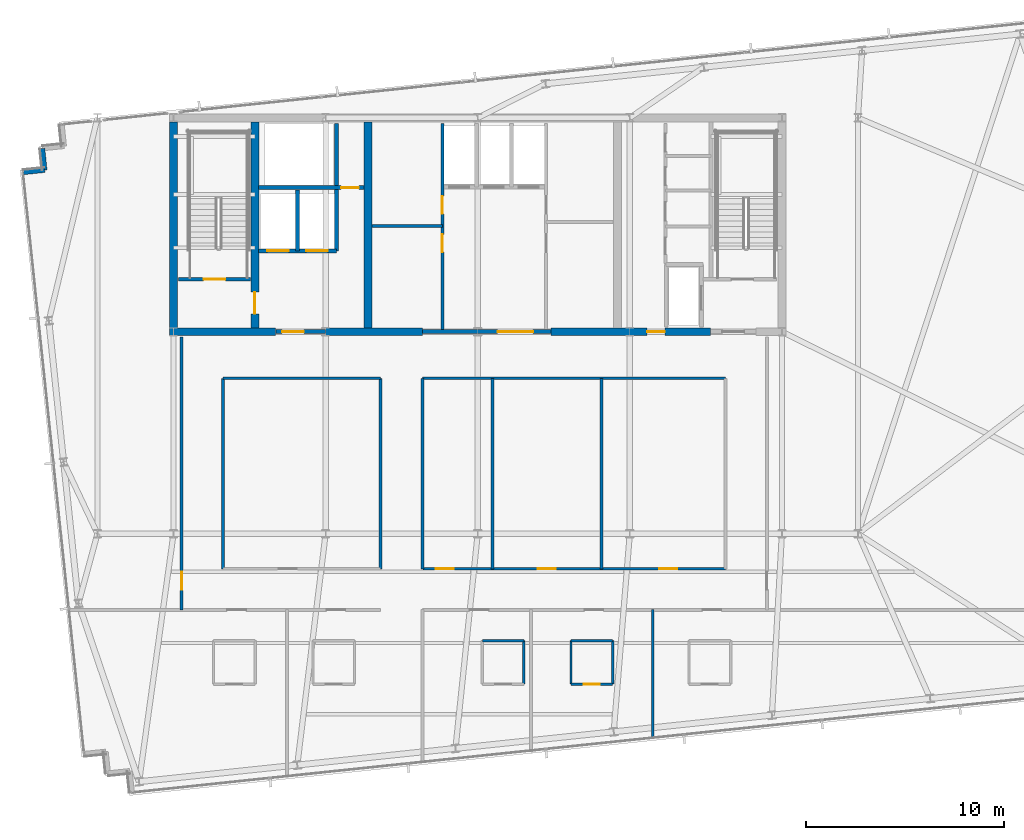
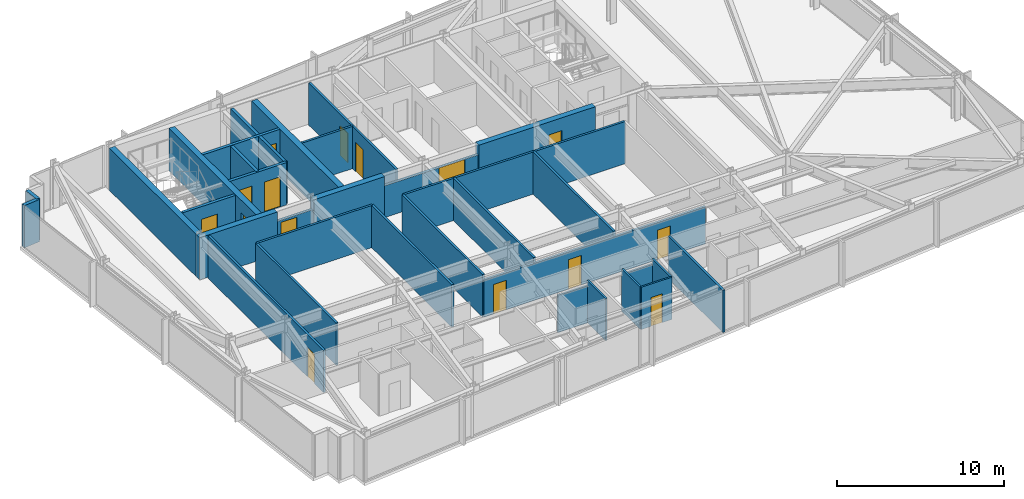
# One storey, part 27 of 33: 33 walls, 15 doors, 15 openings.
"""IFC4 building model written with IfcOpenShell, lengths in metres."""

from ifc_helpers import new_model, si_unit, direction, frame, frame_2d, origin, place, context, subcontext, project, spatial, rectangle, extrude, material, layer, layer_set, type_object, element, fill, save


model = new_model("IFC4")

# Units and contexts
model_context = context("Model", 3, precision=1e-05, world=origin(), true_north=direction((0.0, 1.0)))
body_context = subcontext(model_context, "Body", "Model", "MODEL_VIEW")
ifc_project = project(units=[si_unit("LENGTHUNIT", "METRE"), si_unit("AREAUNIT", "SQUARE_METRE"), si_unit("VOLUMEUNIT", "CUBIC_METRE"), si_unit("PLANEANGLEUNIT", "RADIAN"), si_unit("MASSUNIT", "GRAM", prefix="KILO")], contexts=[model_context])

# Site, building, storey
site_placement = place(None, origin())
site = spatial("IfcSite", under=ifc_project, at=site_placement, CompositionType="ELEMENT")
building_placement = place(site_placement, origin())
building = spatial("IfcBuilding", under=site, at=building_placement, Name="Yelkora Congress Tower", CompositionType="ELEMENT")
storey_placement = place(building_placement, frame((0.0, 0.0, 230.89990234375)))
storey = spatial("IfcBuildingStorey", under=building, at=storey_placement, Name="L64", CompositionType="ELEMENT", Elevation=230.89990234375)

# Walls
ifc_material_1 = material(Name="Concrete C50/60", Category="concrete")
ifc_layer_1 = layer(ifc_material_1, 0.39990234375)
ifc_layer_set_1 = layer_set([ifc_layer_1], Name="Concrete C50/60")
wall_type_1 = type_object("IfcWallType", Name="WALL-CORE-INT-400", PredefinedType="SHEAR", material=ifc_layer_set_1)
wall_1_placement = place(storey_placement, frame((22.840087890625, 35.39990234375, 0.0), z_axis=(0.0, 0.0, 1.0), x_axis=(1.0, 0.0, 0.0)))
element("IfcWall", 1, at=wall_1_placement, inside=storey, type_object=wall_type_1, Name="L64 Rear Core South-West Shear Wall", PredefinedType="SHEAR", context=body_context, shape_type="SweptSolid", body=[
    extrude(rectangle(XDim=5.35986328125, YDim=0.39990234375, at=frame_2d((2.679931640625, 0.0))), origin(), (0.0, 0.0, 1.0), 3.080078125),
])
wall_2_placement = place(storey_placement, frame((30.719970703125, 35.39990234375, 0.0), z_axis=(0.0, 0.0, 1.0), x_axis=(1.0, 0.0, 0.0)))
element("IfcWall", 2, at=wall_2_placement, inside=storey, type_object=wall_type_1, Name="L64 Rear Core South-Center Shear Pier", PredefinedType="SHEAR", context=body_context, shape_type="SweptSolid", body=[
    extrude(rectangle(XDim=4.880126953125, YDim=0.39990234375, at=frame_2d((2.43994140625, 0.0))), origin(), (0.0, 0.0, 1.0), 3.080078125),
])

# Wall, opening, door
wall_3_placement = place(storey_placement, frame((42.10009765625, 35.39990234375, 0.0), z_axis=(0.0, 0.0, 1.0), x_axis=(1.0, 0.0, 0.0)))
wall_3 = element("IfcWall", 3, at=wall_3_placement, inside=storey, type_object=wall_type_1, Name="L64 Rear Core South-East Shear Wall A", PredefinedType="SHEAR", context=body_context, shape_type="SweptSolid", body=[
    extrude(rectangle(XDim=8.0498046875, YDim=0.39990234375, at=frame_2d((4.02490234375, 0.0))), origin(), (0.0, 0.0, 1.0), 3.080078125),
])
opening_1_placement = place(wall_3_placement, frame((4.85009765625, 0.0, 0.0)))
opening_1 = element("IfcOpeningElement", 4, at=opening_1_placement, cuts=wall_3, Name="Opening DR-090F6", PredefinedType="OPENING", context=body_context, shape_type="SweptSolid", body=[
    extrude(rectangle(XDim=0.89990234375, YDim=2.14990234375, at=frame_2d((0.449951171875, 1.074951171875))), frame((0.0, 0.2099609375, 0.0), z_axis=(0.0, -1.0, 0.0), x_axis=(1.0, 0.0, 0.0)), (0.0, 0.0, 1.0), 0.419921875),
])
ifc_material_2 = material(Name="Painted steel riser fire door leaf", Category="steel")
door_type_1 = type_object("IfcDoorType", Name="DOOR-FD60-900", OperationType="NOTDEFINED", PredefinedType="DOOR", material=ifc_material_2)
door_1_placement = place(opening_1_placement, origin())
door_1 = element("IfcDoor", 5, at=door_1_placement, inside=storey, type_object=door_type_1, Name="L64 Core Washroom Lobby Door", OperationType="SINGLE_SWING_RIGHT", OverallHeight=2.14990234375, OverallWidth=0.89990234375, PredefinedType="DOOR", context=body_context, shape_type="SweptSolid", body=[
    extrude(rectangle(XDim=0.89990234375, YDim=2.14990234375, at=frame_2d((0.449951171875, 1.074951171875))), frame((0.0, 0.02490234375, 0.0), z_axis=(0.0, -1.0, 0.0), x_axis=(1.0, 0.0, 0.0)), (0.0, 0.0, 1.0), 0.050048828125),
])
fill(opening_1, door_1)

# Wall
wall_4_placement = place(storey_placement, frame((23.0400390625, 35.60009765625, 0.0), z_axis=(0.0, 0.0, 1.0), x_axis=(0.0, 1.0, 0.0)))
element("IfcWall", 6, at=wall_4_placement, inside=storey, type_object=wall_type_1, Name="L64 Rear Core Cross Shear Wall W", PredefinedType="SHEAR", context=body_context, shape_type="SweptSolid", body=[
    extrude(rectangle(XDim=10.39990234375, YDim=0.39990234375, at=frame_2d((5.199951171875, 0.0))), origin(), (0.0, 0.0, 1.0), 3.080078125),
])

# Wall, opening, door
wall_5_placement = place(storey_placement, frame((27.14990234375, 35.60009765625, 0.0), z_axis=(0.0, 0.0, 1.0), x_axis=(0.0, 1.0, 0.0)))
wall_5 = element("IfcWall", 7, at=wall_5_placement, inside=storey, type_object=wall_type_1, Name="L64 Rear Core Cross Shear Wall C1", PredefinedType="SHEAR", context=body_context, shape_type="SweptSolid", body=[
    extrude(rectangle(XDim=10.39990234375, YDim=0.39990234375, at=frame_2d((5.199951171875, 0.0))), origin(), (0.0, 0.0, 1.0), 3.080078125),
])
opening_2_placement = place(wall_5_placement, frame((0.699951171875, 0.0, 0.0)))
opening_2 = element("IfcOpeningElement", 8, at=opening_2_placement, cuts=wall_5, Name="Opening DR-110F9", PredefinedType="OPENING", context=body_context, shape_type="SweptSolid", body=[
    extrude(rectangle(XDim=1.10009765625, YDim=2.14990234375, at=frame_2d((0.550048828125, 1.074951171875))), frame((0.0, 0.2099609375, 0.0), z_axis=(0.0, -1.0, 0.0), x_axis=(1.0, 0.0, 0.0)), (0.0, 0.0, 1.0), 0.419921875),
])
ifc_material_3 = material(Name="Galvanised steel fire door leaf", Category="steel")
door_type_2 = type_object("IfcDoorType", Name="DOOR-FD90-1100", OperationType="NOTDEFINED", PredefinedType="DOOR", material=ifc_material_3)
door_2_placement = place(opening_2_placement, origin())
door_2 = element("IfcDoor", 9, at=door_2_placement, inside=storey, type_object=door_type_2, Name="L64 Firefighting Stair Transfer Door", OperationType="SINGLE_SWING_LEFT", OverallHeight=2.14990234375, OverallWidth=1.10009765625, PredefinedType="DOOR", context=body_context, shape_type="SweptSolid", body=[
    extrude(rectangle(XDim=1.10009765625, YDim=2.14990234375, at=frame_2d((0.550048828125, 1.074951171875))), frame((0.0, 0.02490234375, 0.0), z_axis=(0.0, -1.0, 0.0), x_axis=(1.0, 0.0, 0.0)), (0.0, 0.0, 1.0), 0.050048828125),
])
fill(opening_2, door_2)

# Walls
wall_6_placement = place(storey_placement, frame((32.85009765625, 35.60009765625, 0.0), z_axis=(0.0, 0.0, 1.0), x_axis=(0.0, 1.0, 0.0)))
element("IfcWall", 10, at=wall_6_placement, inside=storey, type_object=wall_type_1, Name="L64 Rear Core Cross Shear Wall C2", PredefinedType="SHEAR", context=body_context, shape_type="SweptSolid", body=[
    extrude(rectangle(XDim=10.39990234375, YDim=0.39990234375, at=frame_2d((5.199951171875, 0.0))), origin(), (0.0, 0.0, 1.0), 3.080078125),
])
ifc_material_4 = material(Name="Concrete C40/50", Category="concrete")
ifc_layer_2 = layer(ifc_material_4, 0.239990234375)
ifc_layer_set_2 = layer_set([ifc_layer_2], Name="Concrete C40/50")
wall_type_2 = type_object("IfcWallType", Name="WALL-EXT-LIMESTONE-240", PredefinedType="SOLIDWALL", material=ifc_layer_set_2)
wall_7_placement = place(storey_placement, frame((15.441162109375, 43.444580078125, 0.0), z_axis=(0.0, 0.0, 1.0), x_axis=(0.994495717747, 0.104777227405, 0.0)))
element("IfcWall", 11, at=wall_7_placement, inside=storey, type_object=wall_type_2, Name="L64 Serrated Corner Limestone Pier 6", PredefinedType="SOLIDWALL", context=body_context, shape_type="SweptSolid", body=[
    extrude(rectangle(XDim=1.099853515625, YDim=0.239990234375, at=frame_2d((0.5498046875, 0.0))), origin(), (0.0, 0.0, 1.0), 3.080078125),
])
wall_8_placement = place(storey_placement, frame((16.534912109375, 43.559814453125, 0.0), z_axis=(0.0, 0.0, 1.0), x_axis=(-0.104315068386, 0.994544300928, 0.0)))
element("IfcWall", 12, at=wall_8_placement, inside=storey, type_object=wall_type_2, Name="L64 Serrated Corner Limestone Pier 7", PredefinedType="SOLIDWALL", context=body_context, shape_type="SweptSolid", body=[
    extrude(rectangle(XDim=1.10009765625, YDim=0.239990234375, at=frame_2d((0.550048828125, 0.0))), origin(), (0.0, 0.0, 1.0), 3.080078125),
])
ifc_material_5 = material(Name="Moisture-resistant gypsum partition", Category="gypsum")
ifc_layer_3 = layer(ifc_material_5, 0.1201171875)
ifc_layer_set_3 = layer_set([ifc_layer_3], Name="Moisture-resistant gypsum partition")
wall_type_3 = type_object("IfcWallType", Name="WALL-INT-120-NR", PredefinedType="PARTITIONING", material=ifc_layer_set_3)
wall_9_placement = place(storey_placement, frame((38.632080078125, 19.800048828125, 0.0), z_axis=(0.0, 0.0, 1.0), x_axis=(1.0, 0.0, 0.0)))
element("IfcWall", 13, at=wall_9_placement, inside=storey, type_object=wall_type_3, Name="L64 Partition Wall 33", PredefinedType="PARTITIONING", context=body_context, shape_type="SweptSolid", body=[
    extrude(rectangle(XDim=2.099853515625, YDim=0.1201171875, at=frame_2d((1.0498046875, 0.0))), origin(), (0.0, 0.0, 1.0), 2.715087890625),
])
wall_10_placement = place(storey_placement, frame((40.73193359375, 17.60009765625, 0.0), z_axis=(0.0, 0.0, 1.0), x_axis=(0.0, 1.0, 0.0)))
element("IfcWall", 14, at=wall_10_placement, inside=storey, type_object=wall_type_3, Name="L64 Partition Wall 35", PredefinedType="PARTITIONING", context=body_context, shape_type="SweptSolid", body=[
    extrude(rectangle(XDim=2.199951171875, YDim=0.1201171875, at=frame_2d((1.10009765625, 0.0))), origin(), (0.0, 0.0, 1.0), 3.080078125),
])
wall_11_placement = place(storey_placement, frame((43.110107421875, 19.800048828125, 0.0), z_axis=(0.0, 0.0, 1.0), x_axis=(1.0, 0.0, 0.0)))
element("IfcWall", 15, at=wall_11_placement, inside=storey, type_object=wall_type_3, Name="L64 Partition Wall 38", PredefinedType="PARTITIONING", context=body_context, shape_type="SweptSolid", body=[
    extrude(rectangle(XDim=2.099853515625, YDim=0.1201171875, at=frame_2d((1.0498046875, 0.0))), origin(), (0.0, 0.0, 1.0), 2.715087890625),
])
for number, where, z_axis, x_axis, name in (
    (16, (43.110107421875, 17.60009765625, 0.0), (0.0, 0.0, 1.0), (0.0, 1.0, 0.0), "L64 Partition Wall 39"),
    (17, (45.2099609375, 17.60009765625, 0.0), (0.0, 0.0, 1.0), (0.0, 1.0, 0.0), "L64 Partition Wall 40"),
):
    element("IfcWall", number, at=place(storey_placement, frame(where, z_axis=z_axis, x_axis=x_axis)), inside=storey, type_object=wall_type_3, Name=name, PredefinedType="PARTITIONING", context=body_context, shape_type="SweptSolid", body=[
        extrude(rectangle(XDim=2.199951171875, YDim=0.1201171875, at=frame_2d((1.10009765625, 0.0))), origin(), (0.0, 0.0, 1.0), 3.080078125),
    ])

# Wall, opening, door
wall_12_placement = place(storey_placement, frame((43.110107421875, 17.60009765625, 0.0), z_axis=(0.0, 0.0, 1.0), x_axis=(1.0, 0.0, 0.0)))
wall_12 = element("IfcWall", 18, at=wall_12_placement, inside=storey, type_object=wall_type_3, Name="L64 Partition Wall 41", PredefinedType="PARTITIONING", context=body_context, shape_type="SweptSolid", body=[
    extrude(rectangle(XDim=2.099853515625, YDim=0.1201171875, at=frame_2d((1.0498046875, 0.0))), origin(), (0.0, 0.0, 1.0), 3.080078125),
])
opening_3_placement = place(wall_12_placement, frame((0.64990234375, 0.0, 0.0)))
opening_3 = element("IfcOpeningElement", 19, at=opening_3_placement, cuts=wall_12, Name="Opening DR-080B", PredefinedType="OPENING", context=body_context, shape_type="SweptSolid", body=[
    extrude(rectangle(XDim=0.800048828125, YDim=2.10009765625, at=frame_2d((0.39990234375, 1.050048828125))), frame((0.0, 0.070068359375, 0.0), z_axis=(0.0, -1.0, 0.0), x_axis=(1.0, 0.0, 0.0)), (0.0, 0.0, 1.0), 0.14013671875),
])
ifc_material_6 = material(Name="Moisture-sealed en-suite timber door", Category="wood")
door_type_3 = type_object("IfcDoorType", Name="DOOR-BATH-800", OperationType="NOTDEFINED", PredefinedType="DOOR", material=ifc_material_6)
door_3_placement = place(opening_3_placement, origin())
door_3 = element("IfcDoor", 20, at=door_3_placement, inside=storey, type_object=door_type_3, Name="L64 En-suite Door 5", OperationType="SINGLE_SWING_RIGHT", OverallHeight=2.10009765625, OverallWidth=0.800048828125, PredefinedType="DOOR", context=body_context, shape_type="SweptSolid", body=[
    extrude(rectangle(XDim=0.800048828125, YDim=2.10009765625, at=frame_2d((0.39990234375, 1.050048828125))), frame((0.0, 0.02490234375, 0.0), z_axis=(0.0, -1.0, 0.0), x_axis=(1.0, 0.0, 0.0)), (0.0, 0.0, 1.0), 0.050048828125),
])
fill(opening_3, door_3)

ifc_material_7 = material(Name="Acoustic metal-stud gypsum partition", Category="gypsum")
ifc_layer_4 = layer(ifc_material_7, 0.14990234375)
ifc_layer_set_4 = layer_set([ifc_layer_4], Name="Acoustic metal-stud gypsum partition")
wall_type_4 = type_object("IfcWallType", Name="WALL-INT-150-NR", PredefinedType="PARTITIONING", material=ifc_layer_set_4)
wall_13_placement = place(storey_placement, frame((23.449951171875, 21.35009765625, 0.0), z_axis=(0.0, 0.0, 1.0), x_axis=(0.0, 1.0, 0.0)))
wall_13 = element("IfcWall", 21, at=wall_13_placement, inside=storey, type_object=wall_type_4, Name="L64 Partition Wall 50", PredefinedType="PARTITIONING", context=body_context, shape_type="SweptSolid", body=[
    extrude(rectangle(XDim=13.789794921875, YDim=0.14990234375, at=frame_2d((6.89501953125, 0.0))), origin(), (0.0, 0.0, 1.0), 3.080078125),
])
opening_4_placement = place(wall_13_placement, frame((1.030029296875, 0.0, 0.0)))
opening_4 = element("IfcOpeningElement", 22, at=opening_4_placement, cuts=wall_13, Name="Opening DR-090N", PredefinedType="OPENING", context=body_context, shape_type="SweptSolid", body=[
    extrude(rectangle(XDim=0.89990234375, YDim=2.14990234375, at=frame_2d((0.449951171875, 1.074951171875))), frame((0.0, 0.0849609375, 0.0), z_axis=(0.0, -1.0, 0.0), x_axis=(1.0, 0.0, 0.0)), (0.0, 0.0, 1.0), 0.169921875),
])
ifc_material_8 = material(Name="Moisture-resistant laminate door leaf", Category="wood")
door_type_4 = type_object("IfcDoorType", Name="DOOR-INT-900", OperationType="NOTDEFINED", PredefinedType="DOOR", material=ifc_material_8)
door_4_placement = place(opening_4_placement, origin())
door_4 = element("IfcDoor", 23, at=door_4_placement, inside=storey, type_object=door_type_4, Name="L64 W Wing Door", OperationType="SINGLE_SWING_LEFT", OverallHeight=2.14990234375, OverallWidth=0.89990234375, PredefinedType="DOOR", context=body_context, shape_type="SweptSolid", body=[
    extrude(rectangle(XDim=0.89990234375, YDim=2.14990234375, at=frame_2d((0.449951171875, 1.074951171875))), frame((0.0, 0.02490234375, 0.0), z_axis=(0.0, -1.0, 0.0), x_axis=(1.0, 0.0, 0.0)), (0.0, 0.0, 1.0), 0.050048828125),
])
fill(opening_4, door_4)

# Walls
for number, where, z_axis, x_axis, name in (
    (24, (25.530029296875, 23.429931640625, 0.0), (0.0, 0.0, 1.0), (0.0, 1.0, 0.0), "L64 Partition Wall 52"),
    (25, (33.5, 23.429931640625, 0.0), (0.0, 0.0, 1.0), (0.0, 1.0, 0.0), "L64 Partition Wall 54"),
    (26, (35.6201171875, 23.429931640625, 0.0), (0.0, 0.0, 1.0), (0.0, 1.0, 0.0), "L64 Partition Wall 55"),
):
    element("IfcWall", number, at=place(storey_placement, frame(where, z_axis=z_axis, x_axis=x_axis)), inside=storey, type_object=wall_type_4, Name=name, PredefinedType="PARTITIONING", context=body_context, shape_type="SweptSolid", body=[
        extrude(rectangle(XDim=9.6201171875, YDim=0.14990234375, at=frame_2d((4.81005859375, 0.0))), origin(), (0.0, 0.0, 1.0), 3.080078125),
    ])
wall_14_placement = place(storey_placement, frame((25.530029296875, 33.050048828125, 0.0), z_axis=(0.0, 0.0, 1.0), x_axis=(1.0, 0.0, 0.0)))
element("IfcWall", 27, at=wall_14_placement, inside=storey, type_object=wall_type_4, Name="L64 Partition Wall 56", PredefinedType="PARTITIONING", context=body_context, shape_type="SweptSolid", body=[
    extrude(rectangle(XDim=7.969970703125, YDim=0.14990234375, at=frame_2d((3.98486328125, 0.0))), origin(), (0.0, 0.0, 1.0), 3.080078125),
])
wall_15_placement = place(storey_placement, frame((35.6201171875, 33.050048828125, 0.0), z_axis=(0.0, 0.0, 1.0), x_axis=(1.0, 0.0, 0.0)))
element("IfcWall", 28, at=wall_15_placement, inside=storey, type_object=wall_type_4, Name="L64 Partition Wall 57", PredefinedType="PARTITIONING", context=body_context, shape_type="SweptSolid", body=[
    extrude(rectangle(XDim=15.2998046875, YDim=0.14990234375, at=frame_2d((7.64990234375, 0.0))), origin(), (0.0, 0.0, 1.0), 3.080078125),
])
for number, where, z_axis, x_axis, name in (
    (29, (39.14208984375, 23.429931640625, 0.0), (0.0, 0.0, 1.0), (0.0, 1.0, 0.0), "L64 Partition Wall 59"),
    (30, (44.638916015625, 23.429931640625, 0.0), (0.0, 0.0, 1.0), (0.0, 1.0, 0.0), "L64 Partition Wall 60"),
):
    element("IfcWall", number, at=place(storey_placement, frame(where, z_axis=z_axis, x_axis=x_axis)), inside=storey, type_object=wall_type_4, Name=name, PredefinedType="PARTITIONING", context=body_context, shape_type="SweptSolid", body=[
        extrude(rectangle(XDim=9.6201171875, YDim=0.14990234375, at=frame_2d((4.81005859375, 0.0))), origin(), (0.0, 0.0, 1.0), 3.080078125),
    ])

# Wall, openings, doors
wall_16_placement = place(storey_placement, frame((35.6298828125, 23.429931640625, 0.0), z_axis=(0.0, 0.0, 1.0), x_axis=(1.0, 0.0, 0.0)))
wall_16 = element("IfcWall", 31, at=wall_16_placement, inside=storey, type_object=wall_type_4, Name="L64 Partition Wall 61", PredefinedType="PARTITIONING", context=body_context, shape_type="SweptSolid", body=[
    extrude(rectangle(XDim=15.27001953125, YDim=0.14990234375, at=frame_2d((7.635009765625, 0.0))), origin(), (0.0, 0.0, 1.0), 2.715087890625),
])
opening_5_placement = place(wall_16_placement, frame((0.64990234375, 0.0, 0.0)))
opening_5 = element("IfcOpeningElement", 32, at=opening_5_placement, cuts=wall_16, Name="Opening DR-090N", PredefinedType="OPENING", context=body_context, shape_type="SweptSolid", body=[
    extrude(rectangle(XDim=0.89990234375, YDim=2.14990234375, at=frame_2d((0.449951171875, 1.074951171875))), frame((0.0, 0.0849609375, 0.0), z_axis=(0.0, -1.0, 0.0), x_axis=(1.0, 0.0, 0.0)), (0.0, 0.0, 1.0), 0.169921875),
])
opening_6_placement = place(wall_16_placement, frame((5.810546875, 0.0, 0.0)))
opening_6 = element("IfcOpeningElement", 33, at=opening_6_placement, cuts=wall_16, Name="Opening DR-090N", PredefinedType="OPENING", context=body_context, shape_type="SweptSolid", body=[
    extrude(rectangle(XDim=0.89990234375, YDim=2.14990234375, at=frame_2d((0.449951171875, 1.074951171875))), frame((0.0, 0.0849609375, 0.0), z_axis=(0.0, -1.0, 0.0), x_axis=(1.0, 0.0, 0.0)), (0.0, 0.0, 1.0), 0.169921875),
])
opening_7_placement = place(wall_16_placement, frame((11.943359375, 0.0, 0.0)))
opening_7 = element("IfcOpeningElement", 34, at=opening_7_placement, cuts=wall_16, Name="Opening DR-090N", PredefinedType="OPENING", context=body_context, shape_type="SweptSolid", body=[
    extrude(rectangle(XDim=0.89990234375, YDim=2.14990234375, at=frame_2d((0.449951171875, 1.074951171875))), frame((0.0, 0.0849609375, 0.0), z_axis=(0.0, -1.0, 0.0), x_axis=(1.0, 0.0, 0.0)), (0.0, 0.0, 1.0), 0.169921875),
])
door_5_placement = place(opening_5_placement, origin())
door_5 = element("IfcDoor", 35, at=door_5_placement, inside=storey, type_object=door_type_4, Name="L64 Hospitality Pantry Door", OperationType="SINGLE_SWING_RIGHT", OverallHeight=2.14990234375, OverallWidth=0.89990234375, PredefinedType="DOOR", context=body_context, shape_type="SweptSolid", body=[
    extrude(rectangle(XDim=0.89990234375, YDim=2.14990234375, at=frame_2d((0.449951171875, 1.074951171875))), frame((0.0, 0.02490234375, 0.0), z_axis=(0.0, -1.0, 0.0), x_axis=(1.0, 0.0, 0.0)), (0.0, 0.0, 1.0), 0.050048828125),
])
fill(opening_5, door_5)
door_6_placement = place(opening_6_placement, origin())
door_6 = element("IfcDoor", 36, at=door_6_placement, inside=storey, type_object=door_type_4, Name="L64 Staff Operations Room Door", OperationType="SINGLE_SWING_LEFT", OverallHeight=2.14990234375, OverallWidth=0.89990234375, PredefinedType="DOOR", context=body_context, shape_type="SweptSolid", body=[
    extrude(rectangle(XDim=0.89990234375, YDim=2.14990234375, at=frame_2d((0.449951171875, 1.074951171875))), frame((0.0, 0.02490234375, 0.0), z_axis=(0.0, -1.0, 0.0), x_axis=(1.0, 0.0, 0.0)), (0.0, 0.0, 1.0), 0.050048828125),
])
fill(opening_6, door_6)
door_7_placement = place(opening_7_placement, origin())
door_7 = element("IfcDoor", 37, at=door_7_placement, inside=storey, type_object=door_type_4, Name="L64 Security Control Room Door", OperationType="SINGLE_SWING_RIGHT", OverallHeight=2.14990234375, OverallWidth=0.89990234375, PredefinedType="DOOR", context=body_context, shape_type="SweptSolid", body=[
    extrude(rectangle(XDim=0.89990234375, YDim=2.14990234375, at=frame_2d((0.449951171875, 1.074951171875))), frame((0.0, 0.02490234375, 0.0), z_axis=(0.0, -1.0, 0.0), x_axis=(1.0, 0.0, 0.0)), (0.0, 0.0, 1.0), 0.050048828125),
])
fill(opening_7, door_7)

# Wall
ifc_material_9 = material(Name="Twin-stud fire-rated gypsum partition", Category="gypsum")
ifc_layer_5 = layer(ifc_material_9, 0.14990234375)
ifc_layer_set_5 = layer_set([ifc_layer_5], Name="Twin-stud fire-rated gypsum partition")
wall_type_5 = type_object("IfcWallType", Name="WALL-INT-150-R60", PredefinedType="PARTITIONING", material=ifc_layer_set_5)
wall_17_placement = place(storey_placement, frame((33.050048828125, 40.75, 0.0), z_axis=(0.0, 0.0, 1.0), x_axis=(1.0, 0.0, 0.0)))
element("IfcWall", 38, at=wall_17_placement, inside=storey, type_object=wall_type_5, Name="L64 Partition Wall 11", PredefinedType="PARTITIONING", context=body_context, shape_type="SweptSolid", body=[
    extrude(rectangle(XDim=3.570068359375, YDim=0.14990234375, at=frame_2d((1.78515625, 0.0))), origin(), (0.0, 0.0, 1.0), 3.080078125),
])

# Wall, openings, doors
wall_18_placement = place(storey_placement, frame((36.6201171875, 35.5, 0.0), z_axis=(0.0, 0.0, 1.0), x_axis=(0.0, 1.0, 0.0)))
wall_18 = element("IfcWall", 39, at=wall_18_placement, inside=storey, type_object=wall_type_5, Name="L64 Partition Wall 12", PredefinedType="PARTITIONING", context=body_context, shape_type="SweptSolid", body=[
    extrude(rectangle(XDim=10.419921875, YDim=0.14990234375, at=frame_2d((5.2099609375, 0.0))), origin(), (0.0, 0.0, 1.0), 3.080078125),
])
opening_8_placement = place(wall_18_placement, frame((3.919921875, 0.0, 0.0)))
opening_8 = element("IfcOpeningElement", 40, at=opening_8_placement, cuts=wall_18, Name="Opening DR-090F6", PredefinedType="OPENING", context=body_context, shape_type="SweptSolid", body=[
    extrude(rectangle(XDim=0.89990234375, YDim=2.14990234375, at=frame_2d((0.449951171875, 1.074951171875))), frame((0.0, 0.0849609375, 0.0), z_axis=(0.0, -1.0, 0.0), x_axis=(1.0, 0.0, 0.0)), (0.0, 0.0, 1.0), 0.169921875),
])
opening_9_placement = place(wall_18_placement, frame((5.85009765625, 0.0, 0.0)))
opening_9 = element("IfcOpeningElement", 41, at=opening_9_placement, cuts=wall_18, Name="Opening DR-090F6", PredefinedType="OPENING", context=body_context, shape_type="SweptSolid", body=[
    extrude(rectangle(XDim=0.89990234375, YDim=2.14990234375, at=frame_2d((0.449951171875, 1.074951171875))), frame((0.0, 0.0849609375, 0.0), z_axis=(0.0, -1.0, 0.0), x_axis=(1.0, 0.0, 0.0)), (0.0, 0.0, 1.0), 0.169921875),
])
door_8_placement = place(opening_8_placement, origin())
door_8 = element("IfcDoor", 42, at=door_8_placement, inside=storey, type_object=door_type_1, Name="L64 Telecom Store Door", OperationType="SINGLE_SWING_RIGHT", OverallHeight=2.14990234375, OverallWidth=0.89990234375, PredefinedType="DOOR", context=body_context, shape_type="SweptSolid", body=[
    extrude(rectangle(XDim=0.89990234375, YDim=2.14990234375, at=frame_2d((0.449951171875, 1.074951171875))), frame((0.0, 0.02490234375, 0.0), z_axis=(0.0, -1.0, 0.0), x_axis=(1.0, 0.0, 0.0)), (0.0, 0.0, 1.0), 0.050048828125),
])
fill(opening_8, door_8)
door_9_placement = place(opening_9_placement, origin())
door_9 = element("IfcDoor", 43, at=door_9_placement, inside=storey, type_object=door_type_1, Name="L64 Archive Store Door", OperationType="SINGLE_SWING_LEFT", OverallHeight=2.14990234375, OverallWidth=0.89990234375, PredefinedType="DOOR", context=body_context, shape_type="SweptSolid", body=[
    extrude(rectangle(XDim=0.89990234375, YDim=2.14990234375, at=frame_2d((0.449951171875, 1.074951171875))), frame((0.0, 0.02490234375, 0.0), z_axis=(0.0, -1.0, 0.0), x_axis=(1.0, 0.0, 0.0)), (0.0, 0.0, 1.0), 0.050048828125),
])
fill(opening_9, door_9)

# Wall
wall_19_placement = place(storey_placement, frame((47.238037109375, 14.831787109375, 0.0), z_axis=(0.0, 0.0, 1.0), x_axis=(0.0, 1.0, 0.0)))
element("IfcWall", 44, at=wall_19_placement, inside=storey, type_object=wall_type_5, Name="L64 Partition Wall 47", PredefinedType="PARTITIONING", context=body_context, shape_type="SweptSolid", body=[
    extrude(rectangle(XDim=6.538330078125, YDim=0.14990234375, at=frame_2d((3.26904296875, 0.0))), origin(), (0.0, 0.0, 1.0), 3.080078125),
])

# Wall, opening, door
ifc_material_10 = material(Name="Autoclaved aerated concrete blockwork", Category="masonry")
ifc_layer_6 = layer(ifc_material_10, 0.199951171875)
ifc_layer_set_6 = layer_set([ifc_layer_6], Name="Autoclaved aerated concrete blockwork")
wall_type_6 = type_object("IfcWallType", Name="WALL-INT-200-R120", PredefinedType="PARTITIONING", material=ifc_layer_set_6)
wall_20_placement = place(storey_placement, frame((23.300048828125, 38.050048828125, 0.0), z_axis=(0.0, 0.0, 1.0), x_axis=(1.0, 0.0, 0.0)))
wall_20 = element("IfcWall", 45, at=wall_20_placement, inside=storey, type_object=wall_type_6, Name="L64 Stair ST-01 Enclosure Wall", PredefinedType="PARTITIONING", context=body_context, shape_type="SweptSolid", body=[
    extrude(rectangle(XDim=3.619873046875, YDim=0.199951171875, at=frame_2d((1.81005859375, 0.0))), origin(), (0.0, 0.0, 1.0), 3.080078125),
])
opening_10_placement = place(wall_20_placement, frame((1.260009765625, 0.0, 0.0)))
opening_10 = element("IfcOpeningElement", 46, at=opening_10_placement, cuts=wall_20, Name="Opening DR-110F9", PredefinedType="OPENING", context=body_context, shape_type="SweptSolid", body=[
    extrude(rectangle(XDim=1.10009765625, YDim=2.14990234375, at=frame_2d((0.550048828125, 1.074951171875))), frame((0.0, 0.10986328125, 0.0), z_axis=(0.0, -1.0, 0.0), x_axis=(1.0, 0.0, 0.0)), (0.0, 0.0, 1.0), 0.219970703125),
])
door_10_placement = place(opening_10_placement, origin())
door_10 = element("IfcDoor", 47, at=door_10_placement, inside=storey, type_object=door_type_2, Name="L64 Stair ST-01 Entry Door", OperationType="SINGLE_SWING_LEFT", OverallHeight=2.14990234375, OverallWidth=1.10009765625, PredefinedType="DOOR", context=body_context, shape_type="SweptSolid", body=[
    extrude(rectangle(XDim=1.10009765625, YDim=2.14990234375, at=frame_2d((0.550048828125, 1.074951171875))), frame((0.0, 0.02490234375, 0.0), z_axis=(0.0, -1.0, 0.0), x_axis=(1.0, 0.0, 0.0)), (0.0, 0.0, 1.0), 0.050048828125),
])
fill(opening_10, door_10)

wall_21_placement = place(storey_placement, frame((28.219970703125, 35.39990234375, 0.0), z_axis=(0.0, 0.0, 1.0), x_axis=(1.0, 0.0, 0.0)))
wall_21 = element("IfcWall", 48, at=wall_21_placement, inside=storey, type_object=wall_type_6, Name="L64 Firefighting Lobby South Wall", PredefinedType="PARTITIONING", context=body_context, shape_type="SweptSolid", body=[
    extrude(rectangle(XDim=2.5, YDim=0.199951171875, at=frame_2d((1.25, 0.0))), origin(), (0.0, 0.0, 1.0), 2.31298828125),
])
opening_11_placement = place(wall_21_placement, frame((0.300048828125, 0.0, 0.0)))
opening_11 = element("IfcOpeningElement", 49, at=opening_11_placement, cuts=wall_21, Name="Opening DR-110F9", PredefinedType="OPENING", context=body_context, shape_type="SweptSolid", body=[
    extrude(rectangle(XDim=1.10009765625, YDim=2.14990234375, at=frame_2d((0.550048828125, 1.074951171875))), frame((0.0, 0.10986328125, 0.0), z_axis=(0.0, -1.0, 0.0), x_axis=(1.0, 0.0, 0.0)), (0.0, 0.0, 1.0), 0.219970703125),
])
door_11_placement = place(opening_11_placement, origin())
door_11 = element("IfcDoor", 50, at=door_11_placement, inside=storey, type_object=door_type_2, Name="L64 Firefighting Lobby Corridor Door", OperationType="SINGLE_SWING_RIGHT", OverallHeight=2.14990234375, OverallWidth=1.10009765625, PredefinedType="DOOR", context=body_context, shape_type="SweptSolid", body=[
    extrude(rectangle(XDim=1.10009765625, YDim=2.14990234375, at=frame_2d((0.550048828125, 1.074951171875))), frame((0.0, 0.02490234375, 0.0), z_axis=(0.0, -1.0, 0.0), x_axis=(1.0, 0.0, 0.0)), (0.0, 0.0, 1.0), 0.050048828125),
])
fill(opening_11, door_11)

# Wall, openings, doors
wall_22_placement = place(storey_placement, frame((27.320068359375, 39.47998046875, 0.0), z_axis=(0.0, 0.0, 1.0), x_axis=(1.0, 0.0, 0.0)))
wall_22 = element("IfcWall", 51, at=wall_22_placement, inside=storey, type_object=wall_type_6, Name="L64 Firefighting Lift Front Wall", PredefinedType="PARTITIONING", context=body_context, shape_type="SweptSolid", body=[
    extrude(rectangle(XDim=3.93994140625, YDim=0.199951171875, at=frame_2d((1.969970703125, 0.0))), origin(), (0.0, 0.0, 1.0), 3.080078125),
])
opening_12_placement = place(wall_22_placement, frame((0.449951171875, 0.0, 0.0)))
opening_12 = element("IfcOpeningElement", 52, at=opening_12_placement, cuts=wall_22, Name="Opening LD-FF11", PredefinedType="OPENING", context=body_context, shape_type="SweptSolid", body=[
    extrude(rectangle(XDim=1.10009765625, YDim=2.199951171875, at=frame_2d((0.550048828125, 1.10009765625))), frame((0.0, 0.10986328125, 0.0), z_axis=(0.0, -1.0, 0.0), x_axis=(1.0, 0.0, 0.0)), (0.0, 0.0, 1.0), 0.219970703125),
])
opening_13_placement = place(wall_22_placement, frame((2.409912109375, 0.0, 0.0)))
opening_13 = element("IfcOpeningElement", 53, at=opening_13_placement, cuts=wall_22, Name="Opening LD-FF11", PredefinedType="OPENING", context=body_context, shape_type="SweptSolid", body=[
    extrude(rectangle(XDim=1.10009765625, YDim=2.199951171875, at=frame_2d((0.550048828125, 1.10009765625))), frame((0.0, 0.10986328125, 0.0), z_axis=(0.0, -1.0, 0.0), x_axis=(1.0, 0.0, 0.0)), (0.0, 0.0, 1.0), 0.219970703125),
])
ifc_material_11 = material(Name="Brushed stainless steel 316L landing door", Category="steel")
door_type_5 = type_object("IfcDoorType", Name="DOOR-LIFT-FF-1100", OperationType="DOUBLE_DOOR_SLIDING", PredefinedType="DOOR", material=ifc_material_11)
door_12_placement = place(opening_12_placement, origin())
door_12 = element("IfcDoor", 54, at=door_12_placement, inside=storey, type_object=door_type_5, Name="Lift Landing Door LF-FF1 L64", OperationType="DOUBLE_DOOR_SLIDING", OverallHeight=2.199951171875, OverallWidth=1.10009765625, PredefinedType="DOOR", context=body_context, shape_type="SweptSolid", body=[
    extrude(rectangle(XDim=1.10009765625, YDim=2.199951171875, at=frame_2d((0.550048828125, 1.10009765625))), frame((0.0, 0.02490234375, 0.0), z_axis=(0.0, -1.0, 0.0), x_axis=(1.0, 0.0, 0.0)), (0.0, 0.0, 1.0), 0.050048828125),
])
fill(opening_12, door_12)
door_13_placement = place(opening_13_placement, origin())
door_13 = element("IfcDoor", 55, at=door_13_placement, inside=storey, type_object=door_type_5, Name="Lift Landing Door LF-FF2 L64", OperationType="DOUBLE_DOOR_SLIDING", OverallHeight=2.199951171875, OverallWidth=1.10009765625, PredefinedType="DOOR", context=body_context, shape_type="SweptSolid", body=[
    extrude(rectangle(XDim=1.10009765625, YDim=2.199951171875, at=frame_2d((0.550048828125, 1.10009765625))), frame((0.0, 0.02490234375, 0.0), z_axis=(0.0, -1.0, 0.0), x_axis=(1.0, 0.0, 0.0)), (0.0, 0.0, 1.0), 0.050048828125),
])
fill(opening_13, door_13)

# Walls
wall_23_placement = place(storey_placement, frame((29.300048828125, 39.47998046875, 0.0), z_axis=(0.0, 0.0, 1.0), x_axis=(0.0, 1.0, 0.0)))
element("IfcWall", 56, at=wall_23_placement, inside=storey, type_object=wall_type_6, Name="L64 Partition Wall 4", PredefinedType="PARTITIONING", context=body_context, shape_type="SweptSolid", body=[
    extrude(rectangle(XDim=3.070068359375, YDim=0.199951171875, at=frame_2d((1.53515625, 0.0))), origin(), (0.0, 0.0, 1.0), 3.080078125),
])
wall_24_placement = place(storey_placement, frame((31.260009765625, 39.47998046875, 0.0), z_axis=(0.0, 0.0, 1.0), x_axis=(0.0, 1.0, 0.0)))
element("IfcWall", 57, at=wall_24_placement, inside=storey, type_object=wall_type_6, Name="L64 Partition Wall 5", PredefinedType="PARTITIONING", context=body_context, shape_type="SweptSolid", body=[
    extrude(rectangle(XDim=6.43994140625, YDim=0.199951171875, at=frame_2d((3.219970703125, 0.0))), origin(), (0.0, 0.0, 1.0), 3.080078125),
])

# Wall, opening, door
wall_25_placement = place(storey_placement, frame((27.320068359375, 42.679931640625, 0.0), z_axis=(0.0, 0.0, 1.0), x_axis=(1.0, 0.0, 0.0)))
wall_25 = element("IfcWall", 58, at=wall_25_placement, inside=storey, type_object=wall_type_6, Name="L64 Smoke Riser South Wall", PredefinedType="PARTITIONING", context=body_context, shape_type="SweptSolid", body=[
    extrude(rectangle(XDim=5.329833984375, YDim=0.199951171875, at=frame_2d((2.6650390625, 0.0))), origin(), (0.0, 0.0, 1.0), 3.080078125),
])
opening_14_placement = place(wall_25_placement, frame((4.179931640625, 0.0, 0.0)))
opening_14 = element("IfcOpeningElement", 59, at=opening_14_placement, cuts=wall_25, Name="Opening DR-090F6", PredefinedType="OPENING", context=body_context, shape_type="SweptSolid", body=[
    extrude(rectangle(XDim=0.89990234375, YDim=2.14990234375, at=frame_2d((0.449951171875, 1.074951171875))), frame((0.0, 0.10986328125, 0.0), z_axis=(0.0, -1.0, 0.0), x_axis=(1.0, 0.0, 0.0)), (0.0, 0.0, 1.0), 0.219970703125),
])
door_14_placement = place(opening_14_placement, origin())
door_14 = element("IfcDoor", 60, at=door_14_placement, inside=storey, type_object=door_type_1, Name="L64 Riser Access Door", OperationType="SINGLE_SWING_LEFT", OverallHeight=2.14990234375, OverallWidth=0.89990234375, PredefinedType="DOOR", context=body_context, shape_type="SweptSolid", body=[
    extrude(rectangle(XDim=0.89990234375, YDim=2.14990234375, at=frame_2d((0.449951171875, 1.074951171875))), frame((0.0, 0.02490234375, 0.0), z_axis=(0.0, -1.0, 0.0), x_axis=(1.0, 0.0, 0.0)), (0.0, 0.0, 1.0), 0.050048828125),
])
fill(opening_14, door_14)

wall_26_placement = place(storey_placement, frame((35.60009765625, 35.39990234375, 0.0), z_axis=(0.0, 0.0, 1.0), x_axis=(1.0, 0.0, 0.0)))
wall_26 = element("IfcWall", 61, at=wall_26_placement, inside=storey, type_object=wall_type_6, Name="L64 Main Lift Lobby South Portal Wall", PredefinedType="PARTITIONING", context=body_context, shape_type="SweptSolid", body=[
    extrude(rectangle(XDim=6.5, YDim=0.199951171875, at=frame_2d((3.25, 0.0))), origin(), (0.0, 0.0, 1.0), 2.31298828125),
])
opening_15_placement = place(wall_26_placement, frame((3.800048828125, 0.0, 0.0)))
opening_15 = element("IfcOpeningElement", 62, at=opening_15_placement, cuts=wall_26, Name="Opening DR-180D", PredefinedType="OPENING", context=body_context, shape_type="SweptSolid", body=[
    extrude(rectangle(XDim=1.800048828125, YDim=2.300048828125, at=frame_2d((0.89990234375, 1.14990234375))), frame((0.0, 0.10986328125, 0.0), z_axis=(0.0, -1.0, 0.0), x_axis=(1.0, 0.0, 0.0)), (0.0, 0.0, 1.0), 0.219970703125),
])
ifc_material_12 = material(Name="Acoustic double congress hall doors", Category="wood")
door_type_6 = type_object("IfcDoorType", Name="DOOR-DBL-1800", OperationType="DOUBLE_DOOR_SINGLE_SWING", PredefinedType="DOOR", material=ifc_material_12)
door_15_placement = place(opening_15_placement, origin())
door_15 = element("IfcDoor", 63, at=door_15_placement, inside=storey, type_object=door_type_6, Name="L64 Main Lift Lobby Portal Door", OperationType="DOUBLE_DOOR_SINGLE_SWING", OverallHeight=2.300048828125, OverallWidth=1.800048828125, PredefinedType="DOOR", context=body_context, shape_type="SweptSolid", body=[
    extrude(rectangle(XDim=1.800048828125, YDim=2.300048828125, at=frame_2d((0.89990234375, 1.14990234375))), frame((0.0, 0.02490234375, 0.0), z_axis=(0.0, -1.0, 0.0), x_axis=(1.0, 0.0, 0.0)), (0.0, 0.0, 1.0), 0.050048828125),
])
fill(opening_15, door_15)

save(model, "model.ifc")
